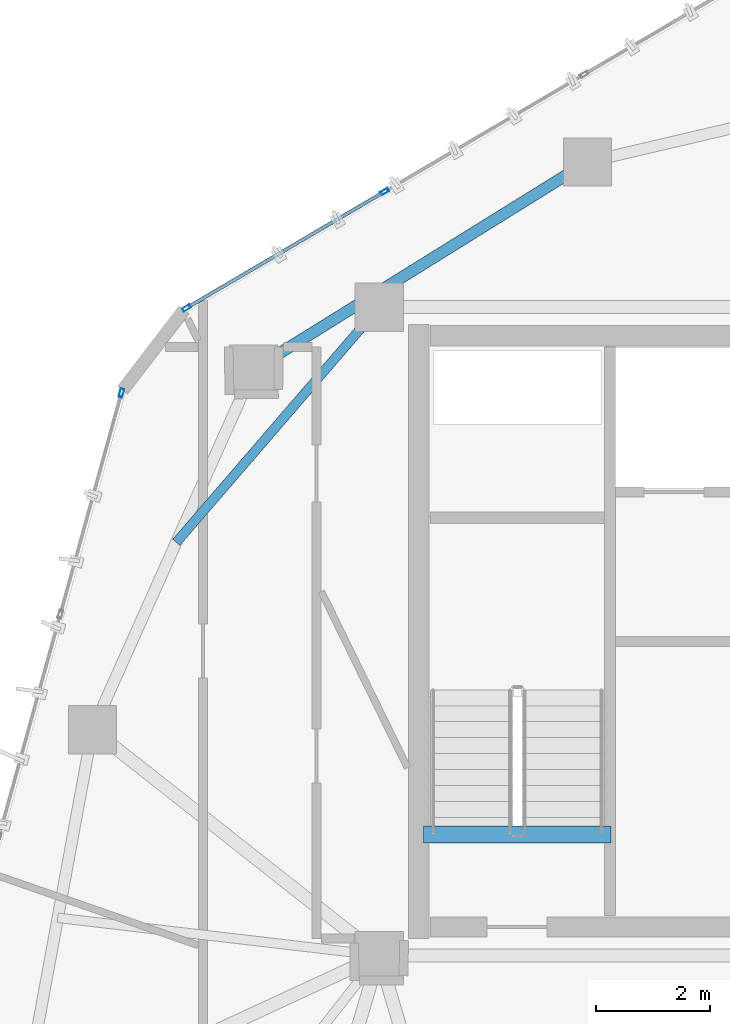
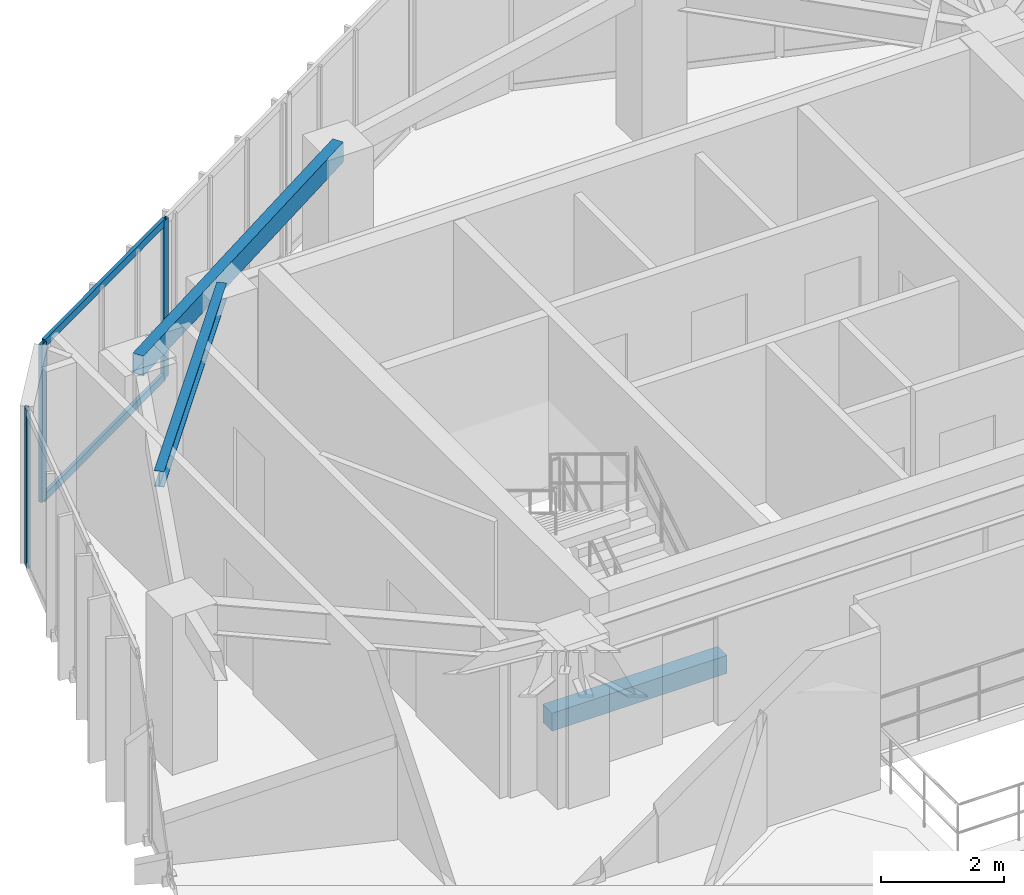
# One storey, part 9 of 20: 5 members, 3 beams, 2 elements without a shape of their own.
"""IFC4 building model written with IfcOpenShell, lengths in metres."""

from ifc_helpers import new_model, si_unit, direction, frame, origin, origin_2d, place, context, subcontext, project, spatial, rectangle, hollow_rectangle, i_section, extrude, source, transform, mapped, material, layer, layer_set, material_profile, profile_set, type_object, type_shapes, element, aggregate, save


model = new_model("IFC4")

# Units and contexts
model_context = context("Model", 3, precision=1e-05, world=origin(), true_north=direction((0.0, 1.0)))
body_context = subcontext(model_context, "Body", "Model", "MODEL_VIEW")
ifc_project = project(units=[si_unit("LENGTHUNIT", "METRE"), si_unit("AREAUNIT", "SQUARE_METRE"), si_unit("VOLUMEUNIT", "CUBIC_METRE"), si_unit("PLANEANGLEUNIT", "RADIAN"), si_unit("MASSUNIT", "GRAM", prefix="KILO")], contexts=[model_context])

# Site, building, storey
site_placement = place(None, origin())
site = spatial("IfcSite", under=ifc_project, at=site_placement, CompositionType="ELEMENT")
building_placement = place(site_placement, origin())
building = spatial("IfcBuilding", under=site, at=building_placement, Name="Talar Marvaseh", CompositionType="ELEMENT")
storey_placement = place(building_placement, frame((0.0, 0.0, 254.39990234375)))
storey = spatial("IfcBuildingStorey", under=building, at=storey_placement, Name="L67", CompositionType="ELEMENT", Elevation=254.39990234375)

# Beams
ifc_material_1 = material(Name="Concrete C40/50", Category="concrete")
ifc_material_profile_1 = material_profile(ifc_material_1, rectangle(XDim=0.300048828125, YDim=0.360107421875, at=origin_2d()), Name="RC300x360")
ifc_profile_set_1 = profile_set([ifc_material_profile_1], Name="Concrete C40/50")
beam_type_1 = type_object("IfcBeamType", Name="Concrete Stair Landing Trimmer Beam RC300x360", PredefinedType="SPANDREL", material=ifc_profile_set_1)
beam_1_placement = place(storey_placement, frame((22.780029296875, 27.6298828125, -0.179931640625), z_axis=(-1.0, 0.0, 0.0), x_axis=(0.0, -1.0, 0.0)))
element("IfcBeam", 1, at=beam_1_placement, inside=storey, type_object=beam_type_1, Name="L67 ST-1 Stair Nosing Trimmer Beam", PredefinedType="SPANDREL", context=body_context, shape_type="SweptSolid", body=[
    extrude(rectangle(XDim=0.300048828125, YDim=0.360107421875, at=origin_2d()), origin(), (0.0, 0.0, 1.0), 3.300048828125),
])
ifc_material_2 = material(Name="Steel S355", Category="steel")
ifc_material_profile_2 = material_profile(ifc_material_2, hollow_rectangle(XDim=0.199951171875, YDim=0.39990234375, WallThickness=0.013916015625, at=origin_2d()), Name="RHS400x200x14")
ifc_profile_set_2 = profile_set([ifc_material_profile_2], Name="Steel S355")
beam_type_2 = type_object("IfcBeamType", Name="Zone 3 Perimeter Spandrel Beam RHS400x200x14", PredefinedType="SPANDREL", material=ifc_profile_set_2)
beam_2_placement = place(storey_placement, frame((16.493896484375, 35.806884765625, 2.940185546875), z_axis=(0.849439811678, 0.527685518407, 0.0), x_axis=(-0.527685518407, 0.849439811678, 0.0)))
element("IfcBeam", 2, at=beam_2_placement, inside=storey, type_object=beam_type_2, Name="L67 Zone 3 Perimeter Spandrel Beam RHS400x200x14", PredefinedType="SPANDREL", context=body_context, shape_type="SweptSolid", body=[
    extrude(hollow_rectangle(XDim=0.199951171875, YDim=0.39990234375, WallThickness=0.013916015625, at=origin_2d()), origin(), (0.0, 0.0, 1.0), 6.91162109375),
])
ifc_material_profile_3 = material_profile(ifc_material_2, i_section(OverallWidth=0.166015625, OverallDepth=0.31298828125, WebThickness=0.006591796875, FlangeThickness=0.01123046875, at=origin_2d()), Name="W310x45")
ifc_profile_set_3 = profile_set([ifc_material_profile_3], Name="Steel S355")
beam_type_3 = type_object("IfcBeamType", Name="Zone 3 Secondary Floor Joist W310x45", PredefinedType="JOIST", material=ifc_profile_set_3)
beam_3_placement = place(storey_placement, frame((15.1328125, 32.76513671875, 2.983642578125), z_axis=(0.653221697747, 0.757166701323, 0.0), x_axis=(-0.757166701323, 0.653221697747, 0.0)))
element("IfcBeam", 3, at=beam_3_placement, inside=storey, type_object=beam_type_3, Name="L67 Zone 3 Secondary Floor Joist W310x45", PredefinedType="JOIST", context=body_context, shape_type="SweptSolid", body=[
    extrude(i_section(OverallWidth=0.166015625, OverallDepth=0.31298828125, WebThickness=0.006591796875, FlangeThickness=0.01123046875, at=origin_2d()), origin(), (0.0, 0.0, 1.0), 5.4609375),
])

# Curtain wall, members
ifc_material_3 = material(Name="Architectural Aluminium", Category="aluminium")
ifc_layer = layer(ifc_material_3, 0.179931640625)
ifc_layer_set = layer_set([ifc_layer], Name="Architectural Aluminium")
curtain_wall_type = type_object("IfcCurtainWallType", Name="Unitised High-Wind Sky Curtain Wall Z4", PredefinedType="NOTDEFINED", material=ifc_layer_set)
curtain_wall_1_placement = place(storey_placement, origin())
curtain_wall_1 = element("IfcCurtainWall", 4, at=curtain_wall_1_placement, inside=storey, type_object=curtain_wall_type, Name="L67 Unitised High-Wind Sky Curtain Wall Z4", PredefinedType="NOTDEFINED")
ifc_material_profile_4 = material_profile(ifc_material_3, hollow_rectangle(XDim=0.06494140625, YDim=0.14990234375, WallThickness=0.00390625, at=origin_2d()), Name="RHS150x65x4")
ifc_profile_set_4 = profile_set([ifc_material_profile_4], Name="Architectural Aluminium")
member_type_1 = type_object("IfcMemberType", Name="Unitised Curtain Wall Slim Transom RHS150x65x4", PredefinedType="USERDEFINED", material=ifc_profile_set_4)
shared_shape_1 = source(origin(), body_context, "Body", "SweptSolid", [
    extrude(hollow_rectangle(XDim=0.06494140625, YDim=0.14990234375, WallThickness=0.00390625, at=origin_2d()), origin(), (0.0, 0.0, 1.0), 3.97119140625),
])
type_shapes(member_type_1, [shared_shape_1])
member_1_placement = place(storey_placement, frame((15.34423828125, 36.90283203125, 0.03271484375), z_axis=(0.862229605872, 0.506517627293, 0.0), x_axis=(-0.506517627293, 0.862229605872, 0.0)))
member_1 = element("IfcMember", 5, at=member_1_placement, type_object=member_type_1, Name="CW-Z4 transom 1.1", ObjectType="TRANSOM", PredefinedType="USERDEFINED", context=body_context, shape_type="MappedRepresentation", body=[
    mapped(shared_shape_1, transform((0.0, 0.0, 0.0), x_axis=(1.0, 0.0, 0.0), y_axis=(0.0, 1.0, 0.0), z_axis=(0.0, 0.0, 1.0), scale=1.0)),
])
member_2_placement = place(storey_placement, frame((15.34423828125, 36.90283203125, 3.107666015625), z_axis=(0.862229605872, 0.506517627293, 0.0), x_axis=(-0.506517627293, 0.862229605872, 0.0)))
member_2 = element("IfcMember", 6, at=member_2_placement, type_object=member_type_1, Name="CW-Z4 transom 1.2", ObjectType="TRANSOM", PredefinedType="USERDEFINED", context=body_context, shape_type="MappedRepresentation", body=[
    mapped(shared_shape_1, transform((0.0, 0.0, 0.0), x_axis=(1.0, 0.0, 0.0), y_axis=(0.0, 1.0, 0.0), z_axis=(0.0, 0.0, 1.0), scale=1.0)),
])

# Curtain wall, member
curtain_wall_2_placement = place(storey_placement, origin())
curtain_wall_2 = element("IfcCurtainWall", 7, at=curtain_wall_2_placement, inside=storey, type_object=curtain_wall_type, Name="L67 Unitised High-Wind Sky Curtain Wall Z4", PredefinedType="NOTDEFINED")
ifc_material_profile_5 = material_profile(ifc_material_3, hollow_rectangle(XDim=0.06494140625, YDim=0.14990234375, WallThickness=0.00390625, at=origin_2d()), Name="RHS150x65x4")
ifc_profile_set_5 = profile_set([ifc_material_profile_5], Name="Architectural Aluminium")
member_type_2 = type_object("IfcMemberType", Name="Unitised Curtain Wall Slim Mullion RHS150x65x4", PredefinedType="MULLION", material=ifc_profile_set_5)
shared_shape_2 = source(origin(), body_context, "Body", "SweptSolid", [
    extrude(hollow_rectangle(XDim=0.06494140625, YDim=0.14990234375, WallThickness=0.00390625, at=origin_2d()), origin(), (0.0, 0.0, 1.0), 3.14013671875),
])
type_shapes(member_type_2, [shared_shape_2])
member_3_placement = place(storey_placement, frame((14.168212890625, 35.390380859375, 0.0), z_axis=(0.0, 0.0, 1.0), x_axis=(-0.963947775369, 0.266091499978, 0.0)))
member_3 = element("IfcMember", 8, at=member_3_placement, type_object=member_type_2, Name="CW-Z4 mullion 4", PredefinedType="MULLION", context=body_context, shape_type="MappedRepresentation", body=[
    mapped(shared_shape_2, transform((0.0, 0.0, 0.0), x_axis=(1.0, 0.0, 0.0), y_axis=(0.0, 1.0, 0.0), z_axis=(0.0, 0.0, 1.0), scale=1.0)),
])
aggregate(curtain_wall_2, [member_3])

# Member
member_4_placement = place(storey_placement, frame((15.316162109375, 36.886474609375, 0.0), z_axis=(0.0, 0.0, 1.0), x_axis=(-0.506516996713, 0.862229976306, 0.0)))
member_4 = element("IfcMember", 9, at=member_4_placement, type_object=member_type_2, Name="CW-Z4 mullion 1", PredefinedType="MULLION", context=body_context, shape_type="MappedRepresentation", body=[
    mapped(shared_shape_2, transform((0.0, 0.0, 0.0), x_axis=(1.0, 0.0, 0.0), y_axis=(0.0, 1.0, 0.0), z_axis=(0.0, 0.0, 1.0), scale=1.0)),
])

member_5_placement = place(storey_placement, frame((18.79638671875, 38.930908203125, 0.0), z_axis=(0.0, 0.0, 1.0), x_axis=(-0.506516996713, 0.862229976306, 0.0)))
member_5 = element("IfcMember", 10, at=member_5_placement, type_object=member_type_2, Name="CW-Z4 mullion 2", PredefinedType="MULLION", context=body_context, shape_type="MappedRepresentation", body=[
    mapped(shared_shape_2, transform((0.0, 0.0, 0.0), x_axis=(1.0, 0.0, 0.0), y_axis=(0.0, 1.0, 0.0), z_axis=(0.0, 0.0, 1.0), scale=1.0)),
])

aggregate(curtain_wall_1, [member_4, member_5, member_1, member_2])

save(model, "model.ifc")
